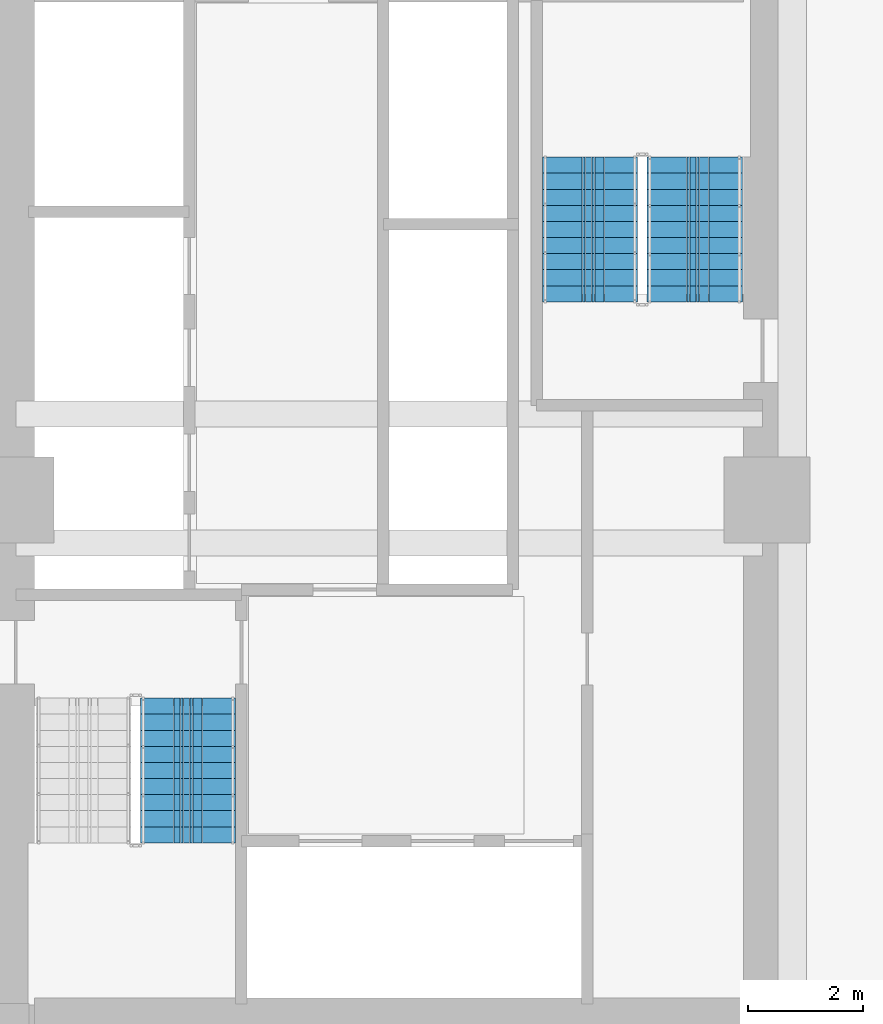
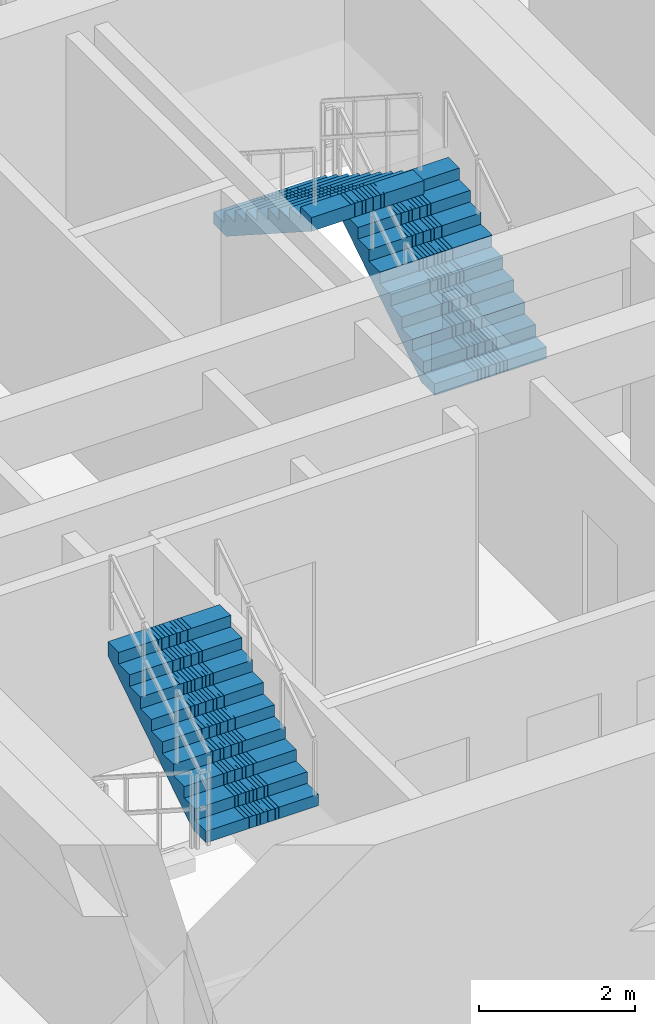
# One storey, part 22 of 30: 3 stair flights, 2 elements without a shape of their own.
"""IFC4 building model written with IfcOpenShell, lengths in metres."""

from ifc_helpers import new_model, si_unit, direction, frame, origin, place, context, subcontext, project, spatial, polyline, outline, extrude, material, type_object, element, aggregate, save


model = new_model("IFC4")

# Units and contexts
model_context = context("Model", 3, precision=1e-05, world=origin(), true_north=direction((0.0, 1.0)))
body_context = subcontext(model_context, "Body", "Model", "MODEL_VIEW")
ifc_project = project(units=[si_unit("LENGTHUNIT", "METRE"), si_unit("AREAUNIT", "SQUARE_METRE"), si_unit("VOLUMEUNIT", "CUBIC_METRE"), si_unit("PLANEANGLEUNIT", "RADIAN"), si_unit("MASSUNIT", "GRAM", prefix="KILO")], contexts=[model_context])

# Site, building, storey
site_placement = place(None, origin())
site = spatial("IfcSite", under=ifc_project, at=site_placement, CompositionType="ELEMENT")
building_placement = place(site_placement, origin())
building = spatial("IfcBuilding", under=site, at=building_placement, Name="Saelheon Loggia Tower", CompositionType="ELEMENT")
storey_placement = place(building_placement, frame((0.0, 0.0, 7.800048828125)))
storey = spatial("IfcBuildingStorey", under=building, at=storey_placement, Name="L02", CompositionType="ELEMENT", Elevation=7.800048828125)

# Stair, stair flight
ifc_material = material(Name="Concrete C40/50", Category="concrete")
stair_type = type_object("IfcStairType", Name="Stair_Escape_Core", PredefinedType="HALF_TURN_STAIR", material=ifc_material)
stair_1_placement = place(storey_placement, origin())
stair_1 = element("IfcStair", 1, at=stair_1_placement, inside=storey, type_object=stair_type, Name="L02 Special Escape Stair ST1", PredefinedType="HALF_TURN_STAIR")
stair_flight_type = type_object("IfcStairFlightType", Name="StairFlight_Tower_1660", PredefinedType="STRAIGHT", material=ifc_material)
stair_flight_1_placement = place(storey_placement, frame((34.5, 21.030029296875, 1.800048828125), z_axis=(0.0, 0.0, 1.0), x_axis=(0.0, 1.0, 0.0)))
stair_flight_1 = element("IfcStairFlight", 2, at=stair_flight_1_placement, type_object=stair_flight_type, Name="ST1 flight 2", NumberOfRisers=10, NumberOfTreads=9, PredefinedType="STRAIGHT", RiserHeight=0.18, TreadLength=0.28, context=body_context, shape_type="SweptSolid", body=[
    extrude(outline(polyline([(0.0, 0.0), (0.0, 0.179931640625), (0.280029296875, 0.179931640625), (0.280029296875, 0.360107421875), (0.56005859375, 0.360107421875), (0.56005859375, 0.5400390625), (0.840087890625, 0.5400390625), (0.840087890625, 0.719970703125), (1.1201171875, 0.719970703125), (1.1201171875, 0.89990234375), (1.39990234375, 0.89990234375), (1.39990234375, 1.080078125), (1.679931640625, 1.080078125), (1.679931640625, 1.260009765625), (1.9599609375, 1.260009765625), (1.9599609375, 1.43994140625), (2.239990234375, 1.43994140625), (2.239990234375, 1.6201171875), (2.52001953125, 1.6201171875), (2.52001953125, 1.800048828125), (2.52001953125, 1.406005859375), (0.332763671875, 0.0), (0.0, 0.0)])), frame((0.0, -0.2490234375, 0.0), z_axis=(0.0, -1.0, 0.0), x_axis=(1.0, 0.0, 0.0)), (0.0, 0.0, 1.0), 0.5810546875),
    extrude(outline(polyline([(0.0, 0.0), (0.0, 0.179931640625), (0.280029296875, 0.179931640625), (0.280029296875, 0.360107421875), (0.56005859375, 0.360107421875), (0.56005859375, 0.5400390625), (0.840087890625, 0.5400390625), (0.840087890625, 0.719970703125), (1.1201171875, 0.719970703125), (1.1201171875, 0.89990234375), (1.39990234375, 0.89990234375), (1.39990234375, 1.080078125), (1.679931640625, 1.080078125), (1.679931640625, 1.260009765625), (1.9599609375, 1.260009765625), (1.9599609375, 1.43994140625), (2.239990234375, 1.43994140625), (2.239990234375, 1.6201171875), (2.52001953125, 1.6201171875), (2.52001953125, 1.800048828125), (2.52001953125, 1.406005859375), (0.332763671875, 0.0), (0.0, 0.0)])), frame((0.0, -0.194091796875, 0.0), z_axis=(0.0, -1.0, 0.0), x_axis=(1.0, 0.0, 0.0)), (0.0, 0.0, 1.0), 0.0498046875),
    extrude(outline(polyline([(0.0, 0.0), (0.0, 0.179931640625), (0.280029296875, 0.179931640625), (0.280029296875, 0.360107421875), (0.56005859375, 0.360107421875), (0.56005859375, 0.5400390625), (0.840087890625, 0.5400390625), (0.840087890625, 0.719970703125), (1.1201171875, 0.719970703125), (1.1201171875, 0.89990234375), (1.39990234375, 0.89990234375), (1.39990234375, 1.080078125), (1.679931640625, 1.080078125), (1.679931640625, 1.260009765625), (1.9599609375, 1.260009765625), (1.9599609375, 1.43994140625), (2.239990234375, 1.43994140625), (2.239990234375, 1.6201171875), (2.52001953125, 1.6201171875), (2.52001953125, 1.800048828125), (2.52001953125, 1.406005859375), (0.332763671875, 0.0), (0.0, 0.0)])), frame((0.0, -0.139404296875, 0.0), z_axis=(0.0, -1.0, 0.0), x_axis=(1.0, 0.0, 0.0)), (0.0, 0.0, 1.0), 0.0498046875),
    extrude(outline(polyline([(0.0, 0.0), (0.0, 0.179931640625), (0.280029296875, 0.179931640625), (0.280029296875, 0.360107421875), (0.56005859375, 0.360107421875), (0.56005859375, 0.5400390625), (0.840087890625, 0.5400390625), (0.840087890625, 0.719970703125), (1.1201171875, 0.719970703125), (1.1201171875, 0.89990234375), (1.39990234375, 0.89990234375), (1.39990234375, 1.080078125), (1.679931640625, 1.080078125), (1.679931640625, 1.260009765625), (1.9599609375, 1.260009765625), (1.9599609375, 1.43994140625), (2.239990234375, 1.43994140625), (2.239990234375, 1.6201171875), (2.52001953125, 1.6201171875), (2.52001953125, 1.800048828125), (2.52001953125, 1.406005859375), (0.332763671875, 0.0), (0.0, 0.0)])), frame((0.0, -0.084716796875, 0.0), z_axis=(0.0, -1.0, 0.0), x_axis=(1.0, 0.0, 0.0)), (0.0, 0.0, 1.0), 0.0498046875),
    extrude(outline(polyline([(0.0, 0.0), (0.0, 0.179931640625), (0.280029296875, 0.179931640625), (0.280029296875, 0.360107421875), (0.56005859375, 0.360107421875), (0.56005859375, 0.5400390625), (0.840087890625, 0.5400390625), (0.840087890625, 0.719970703125), (1.1201171875, 0.719970703125), (1.1201171875, 0.89990234375), (1.39990234375, 0.89990234375), (1.39990234375, 1.080078125), (1.679931640625, 1.080078125), (1.679931640625, 1.260009765625), (1.9599609375, 1.260009765625), (1.9599609375, 1.43994140625), (2.239990234375, 1.43994140625), (2.239990234375, 1.6201171875), (2.52001953125, 1.6201171875), (2.52001953125, 1.800048828125), (2.52001953125, 1.406005859375), (0.332763671875, 0.0), (0.0, 0.0)])), frame((0.0, -0.02978515625, 0.0), z_axis=(0.0, -1.0, 0.0), x_axis=(1.0, 0.0, 0.0)), (0.0, 0.0, 1.0), 0.0498046875),
    extrude(outline(polyline([(0.0, 0.0), (0.0, 0.179931640625), (0.280029296875, 0.179931640625), (0.280029296875, 0.360107421875), (0.56005859375, 0.360107421875), (0.56005859375, 0.5400390625), (0.840087890625, 0.5400390625), (0.840087890625, 0.719970703125), (1.1201171875, 0.719970703125), (1.1201171875, 0.89990234375), (1.39990234375, 0.89990234375), (1.39990234375, 1.080078125), (1.679931640625, 1.080078125), (1.679931640625, 1.260009765625), (1.9599609375, 1.260009765625), (1.9599609375, 1.43994140625), (2.239990234375, 1.43994140625), (2.239990234375, 1.6201171875), (2.52001953125, 1.6201171875), (2.52001953125, 1.800048828125), (2.52001953125, 1.406005859375), (0.332763671875, 0.0), (0.0, 0.0)])), frame((0.0, 0.02490234375, 0.0), z_axis=(0.0, -1.0, 0.0), x_axis=(1.0, 0.0, 0.0)), (0.0, 0.0, 1.0), 0.0498046875),
    extrude(outline(polyline([(0.0, 0.0), (0.0, 0.179931640625), (0.280029296875, 0.179931640625), (0.280029296875, 0.360107421875), (0.56005859375, 0.360107421875), (0.56005859375, 0.5400390625), (0.840087890625, 0.5400390625), (0.840087890625, 0.719970703125), (1.1201171875, 0.719970703125), (1.1201171875, 0.89990234375), (1.39990234375, 0.89990234375), (1.39990234375, 1.080078125), (1.679931640625, 1.080078125), (1.679931640625, 1.260009765625), (1.9599609375, 1.260009765625), (1.9599609375, 1.43994140625), (2.239990234375, 1.43994140625), (2.239990234375, 1.6201171875), (2.52001953125, 1.6201171875), (2.52001953125, 1.800048828125), (2.52001953125, 1.406005859375), (0.332763671875, 0.0), (0.0, 0.0)])), frame((0.0, 0.07958984375, 0.0), z_axis=(0.0, -1.0, 0.0), x_axis=(1.0, 0.0, 0.0)), (0.0, 0.0, 1.0), 0.0498046875),
    extrude(outline(polyline([(0.0, 0.0), (0.0, 0.179931640625), (0.280029296875, 0.179931640625), (0.280029296875, 0.360107421875), (0.56005859375, 0.360107421875), (0.56005859375, 0.5400390625), (0.840087890625, 0.5400390625), (0.840087890625, 0.719970703125), (1.1201171875, 0.719970703125), (1.1201171875, 0.89990234375), (1.39990234375, 0.89990234375), (1.39990234375, 1.080078125), (1.679931640625, 1.080078125), (1.679931640625, 1.260009765625), (1.9599609375, 1.260009765625), (1.9599609375, 1.43994140625), (2.239990234375, 1.43994140625), (2.239990234375, 1.6201171875), (2.52001953125, 1.6201171875), (2.52001953125, 1.800048828125), (2.52001953125, 1.406005859375), (0.332763671875, 0.0), (0.0, 0.0)])), frame((0.0, 0.134521484375, 0.0), z_axis=(0.0, -1.0, 0.0), x_axis=(1.0, 0.0, 0.0)), (0.0, 0.0, 1.0), 0.0498046875),
    extrude(outline(polyline([(0.0, 0.0), (0.0, 0.179931640625), (0.280029296875, 0.179931640625), (0.280029296875, 0.360107421875), (0.56005859375, 0.360107421875), (0.56005859375, 0.5400390625), (0.840087890625, 0.5400390625), (0.840087890625, 0.719970703125), (1.1201171875, 0.719970703125), (1.1201171875, 0.89990234375), (1.39990234375, 0.89990234375), (1.39990234375, 1.080078125), (1.679931640625, 1.080078125), (1.679931640625, 1.260009765625), (1.9599609375, 1.260009765625), (1.9599609375, 1.43994140625), (2.239990234375, 1.43994140625), (2.239990234375, 1.6201171875), (2.52001953125, 1.6201171875), (2.52001953125, 1.800048828125), (2.52001953125, 1.406005859375), (0.332763671875, 0.0), (0.0, 0.0)])), frame((0.0, 0.189208984375, 0.0), z_axis=(0.0, -1.0, 0.0), x_axis=(1.0, 0.0, 0.0)), (0.0, 0.0, 1.0), 0.0498046875),
    extrude(outline(polyline([(0.0, 0.0), (0.0, 0.179931640625), (0.280029296875, 0.179931640625), (0.280029296875, 0.360107421875), (0.56005859375, 0.360107421875), (0.56005859375, 0.5400390625), (0.840087890625, 0.5400390625), (0.840087890625, 0.719970703125), (1.1201171875, 0.719970703125), (1.1201171875, 0.89990234375), (1.39990234375, 0.89990234375), (1.39990234375, 1.080078125), (1.679931640625, 1.080078125), (1.679931640625, 1.260009765625), (1.9599609375, 1.260009765625), (1.9599609375, 1.43994140625), (2.239990234375, 1.43994140625), (2.239990234375, 1.6201171875), (2.52001953125, 1.6201171875), (2.52001953125, 1.800048828125), (2.52001953125, 1.406005859375), (0.332763671875, 0.0), (0.0, 0.0)])), frame((0.0, 0.243896484375, 0.0), z_axis=(0.0, -1.0, 0.0), x_axis=(1.0, 0.0, 0.0)), (0.0, 0.0, 1.0), 0.0498046875),
    extrude(outline(polyline([(0.0, 0.0), (0.0, 0.179931640625), (0.280029296875, 0.179931640625), (0.280029296875, 0.360107421875), (0.56005859375, 0.360107421875), (0.56005859375, 0.5400390625), (0.840087890625, 0.5400390625), (0.840087890625, 0.719970703125), (1.1201171875, 0.719970703125), (1.1201171875, 0.89990234375), (1.39990234375, 0.89990234375), (1.39990234375, 1.080078125), (1.679931640625, 1.080078125), (1.679931640625, 1.260009765625), (1.9599609375, 1.260009765625), (1.9599609375, 1.43994140625), (2.239990234375, 1.43994140625), (2.239990234375, 1.6201171875), (2.52001953125, 1.6201171875), (2.52001953125, 1.800048828125), (2.52001953125, 1.406005859375), (0.332763671875, 0.0), (0.0, 0.0)])), frame((0.0, 0.830078125, 0.0), z_axis=(0.0, -1.0, 0.0), x_axis=(1.0, 0.0, 0.0)), (0.0, 0.0, 1.0), 0.5810546875),
])
aggregate(stair_1, [stair_flight_1])

# Stair, stair flights
stair_2_placement = place(storey_placement, origin())
stair_2 = element("IfcStair", 3, at=stair_2_placement, inside=storey, type_object=stair_type, Name="L02 Special Escape Stair ST2", PredefinedType="HALF_TURN_STAIR")
stair_flight_2_placement = place(storey_placement, frame((43.320068359375, 30.449951171875, 0.0), z_axis=(0.0, 0.0, 1.0), x_axis=(0.0, 1.0, 0.0)))
stair_flight_2 = element("IfcStairFlight", 4, at=stair_flight_2_placement, type_object=stair_flight_type, Name="ST2 flight 1", NumberOfRisers=10, NumberOfTreads=9, PredefinedType="STRAIGHT", RiserHeight=0.18, TreadLength=0.28, context=body_context, shape_type="SweptSolid", body=[
    extrude(outline(polyline([(0.0, 0.0), (0.0, 0.179931640625), (0.280029296875, 0.179931640625), (0.280029296875, 0.360107421875), (0.56005859375, 0.360107421875), (0.56005859375, 0.5400390625), (0.840087890625, 0.5400390625), (0.840087890625, 0.719970703125), (1.1201171875, 0.719970703125), (1.1201171875, 0.89990234375), (1.39990234375, 0.89990234375), (1.39990234375, 1.080078125), (1.679931640625, 1.080078125), (1.679931640625, 1.260009765625), (1.9599609375, 1.260009765625), (1.9599609375, 1.43994140625), (2.239990234375, 1.43994140625), (2.239990234375, 1.6201171875), (2.52001953125, 1.6201171875), (2.52001953125, 1.800048828125), (2.52001953125, 1.406005859375), (0.332763671875, 0.0), (0.0, 0.0)])), frame((0.0, -0.2490234375, 0.0), z_axis=(0.0, -1.0, 0.0), x_axis=(1.0, 0.0, 0.0)), (0.0, 0.0, 1.0), 0.5810546875),
    extrude(outline(polyline([(0.0, 0.0), (0.0, 0.179931640625), (0.280029296875, 0.179931640625), (0.280029296875, 0.360107421875), (0.56005859375, 0.360107421875), (0.56005859375, 0.5400390625), (0.840087890625, 0.5400390625), (0.840087890625, 0.719970703125), (1.1201171875, 0.719970703125), (1.1201171875, 0.89990234375), (1.39990234375, 0.89990234375), (1.39990234375, 1.080078125), (1.679931640625, 1.080078125), (1.679931640625, 1.260009765625), (1.9599609375, 1.260009765625), (1.9599609375, 1.43994140625), (2.239990234375, 1.43994140625), (2.239990234375, 1.6201171875), (2.52001953125, 1.6201171875), (2.52001953125, 1.800048828125), (2.52001953125, 1.406005859375), (0.332763671875, 0.0), (0.0, 0.0)])), frame((0.0, -0.194091796875, 0.0), z_axis=(0.0, -1.0, 0.0), x_axis=(1.0, 0.0, 0.0)), (0.0, 0.0, 1.0), 0.0498046875),
    extrude(outline(polyline([(0.0, 0.0), (0.0, 0.179931640625), (0.280029296875, 0.179931640625), (0.280029296875, 0.360107421875), (0.56005859375, 0.360107421875), (0.56005859375, 0.5400390625), (0.840087890625, 0.5400390625), (0.840087890625, 0.719970703125), (1.1201171875, 0.719970703125), (1.1201171875, 0.89990234375), (1.39990234375, 0.89990234375), (1.39990234375, 1.080078125), (1.679931640625, 1.080078125), (1.679931640625, 1.260009765625), (1.9599609375, 1.260009765625), (1.9599609375, 1.43994140625), (2.239990234375, 1.43994140625), (2.239990234375, 1.6201171875), (2.52001953125, 1.6201171875), (2.52001953125, 1.800048828125), (2.52001953125, 1.406005859375), (0.332763671875, 0.0), (0.0, 0.0)])), frame((0.0, -0.139404296875, 0.0), z_axis=(0.0, -1.0, 0.0), x_axis=(1.0, 0.0, 0.0)), (0.0, 0.0, 1.0), 0.0498046875),
    extrude(outline(polyline([(0.0, 0.0), (0.0, 0.179931640625), (0.280029296875, 0.179931640625), (0.280029296875, 0.360107421875), (0.56005859375, 0.360107421875), (0.56005859375, 0.5400390625), (0.840087890625, 0.5400390625), (0.840087890625, 0.719970703125), (1.1201171875, 0.719970703125), (1.1201171875, 0.89990234375), (1.39990234375, 0.89990234375), (1.39990234375, 1.080078125), (1.679931640625, 1.080078125), (1.679931640625, 1.260009765625), (1.9599609375, 1.260009765625), (1.9599609375, 1.43994140625), (2.239990234375, 1.43994140625), (2.239990234375, 1.6201171875), (2.52001953125, 1.6201171875), (2.52001953125, 1.800048828125), (2.52001953125, 1.406005859375), (0.332763671875, 0.0), (0.0, 0.0)])), frame((0.0, -0.084716796875, 0.0), z_axis=(0.0, -1.0, 0.0), x_axis=(1.0, 0.0, 0.0)), (0.0, 0.0, 1.0), 0.0498046875),
    extrude(outline(polyline([(0.0, 0.0), (0.0, 0.179931640625), (0.280029296875, 0.179931640625), (0.280029296875, 0.360107421875), (0.56005859375, 0.360107421875), (0.56005859375, 0.5400390625), (0.840087890625, 0.5400390625), (0.840087890625, 0.719970703125), (1.1201171875, 0.719970703125), (1.1201171875, 0.89990234375), (1.39990234375, 0.89990234375), (1.39990234375, 1.080078125), (1.679931640625, 1.080078125), (1.679931640625, 1.260009765625), (1.9599609375, 1.260009765625), (1.9599609375, 1.43994140625), (2.239990234375, 1.43994140625), (2.239990234375, 1.6201171875), (2.52001953125, 1.6201171875), (2.52001953125, 1.800048828125), (2.52001953125, 1.406005859375), (0.332763671875, 0.0), (0.0, 0.0)])), frame((0.0, -0.02978515625, 0.0), z_axis=(0.0, -1.0, 0.0), x_axis=(1.0, 0.0, 0.0)), (0.0, 0.0, 1.0), 0.0498046875),
    extrude(outline(polyline([(0.0, 0.0), (0.0, 0.179931640625), (0.280029296875, 0.179931640625), (0.280029296875, 0.360107421875), (0.56005859375, 0.360107421875), (0.56005859375, 0.5400390625), (0.840087890625, 0.5400390625), (0.840087890625, 0.719970703125), (1.1201171875, 0.719970703125), (1.1201171875, 0.89990234375), (1.39990234375, 0.89990234375), (1.39990234375, 1.080078125), (1.679931640625, 1.080078125), (1.679931640625, 1.260009765625), (1.9599609375, 1.260009765625), (1.9599609375, 1.43994140625), (2.239990234375, 1.43994140625), (2.239990234375, 1.6201171875), (2.52001953125, 1.6201171875), (2.52001953125, 1.800048828125), (2.52001953125, 1.406005859375), (0.332763671875, 0.0), (0.0, 0.0)])), frame((0.0, 0.02490234375, 0.0), z_axis=(0.0, -1.0, 0.0), x_axis=(1.0, 0.0, 0.0)), (0.0, 0.0, 1.0), 0.0498046875),
    extrude(outline(polyline([(0.0, 0.0), (0.0, 0.179931640625), (0.280029296875, 0.179931640625), (0.280029296875, 0.360107421875), (0.56005859375, 0.360107421875), (0.56005859375, 0.5400390625), (0.840087890625, 0.5400390625), (0.840087890625, 0.719970703125), (1.1201171875, 0.719970703125), (1.1201171875, 0.89990234375), (1.39990234375, 0.89990234375), (1.39990234375, 1.080078125), (1.679931640625, 1.080078125), (1.679931640625, 1.260009765625), (1.9599609375, 1.260009765625), (1.9599609375, 1.43994140625), (2.239990234375, 1.43994140625), (2.239990234375, 1.6201171875), (2.52001953125, 1.6201171875), (2.52001953125, 1.800048828125), (2.52001953125, 1.406005859375), (0.332763671875, 0.0), (0.0, 0.0)])), frame((0.0, 0.07958984375, 0.0), z_axis=(0.0, -1.0, 0.0), x_axis=(1.0, 0.0, 0.0)), (0.0, 0.0, 1.0), 0.0498046875),
    extrude(outline(polyline([(0.0, 0.0), (0.0, 0.179931640625), (0.280029296875, 0.179931640625), (0.280029296875, 0.360107421875), (0.56005859375, 0.360107421875), (0.56005859375, 0.5400390625), (0.840087890625, 0.5400390625), (0.840087890625, 0.719970703125), (1.1201171875, 0.719970703125), (1.1201171875, 0.89990234375), (1.39990234375, 0.89990234375), (1.39990234375, 1.080078125), (1.679931640625, 1.080078125), (1.679931640625, 1.260009765625), (1.9599609375, 1.260009765625), (1.9599609375, 1.43994140625), (2.239990234375, 1.43994140625), (2.239990234375, 1.6201171875), (2.52001953125, 1.6201171875), (2.52001953125, 1.800048828125), (2.52001953125, 1.406005859375), (0.332763671875, 0.0), (0.0, 0.0)])), frame((0.0, 0.134521484375, 0.0), z_axis=(0.0, -1.0, 0.0), x_axis=(1.0, 0.0, 0.0)), (0.0, 0.0, 1.0), 0.0498046875),
    extrude(outline(polyline([(0.0, 0.0), (0.0, 0.179931640625), (0.280029296875, 0.179931640625), (0.280029296875, 0.360107421875), (0.56005859375, 0.360107421875), (0.56005859375, 0.5400390625), (0.840087890625, 0.5400390625), (0.840087890625, 0.719970703125), (1.1201171875, 0.719970703125), (1.1201171875, 0.89990234375), (1.39990234375, 0.89990234375), (1.39990234375, 1.080078125), (1.679931640625, 1.080078125), (1.679931640625, 1.260009765625), (1.9599609375, 1.260009765625), (1.9599609375, 1.43994140625), (2.239990234375, 1.43994140625), (2.239990234375, 1.6201171875), (2.52001953125, 1.6201171875), (2.52001953125, 1.800048828125), (2.52001953125, 1.406005859375), (0.332763671875, 0.0), (0.0, 0.0)])), frame((0.0, 0.189208984375, 0.0), z_axis=(0.0, -1.0, 0.0), x_axis=(1.0, 0.0, 0.0)), (0.0, 0.0, 1.0), 0.0498046875),
    extrude(outline(polyline([(0.0, 0.0), (0.0, 0.179931640625), (0.280029296875, 0.179931640625), (0.280029296875, 0.360107421875), (0.56005859375, 0.360107421875), (0.56005859375, 0.5400390625), (0.840087890625, 0.5400390625), (0.840087890625, 0.719970703125), (1.1201171875, 0.719970703125), (1.1201171875, 0.89990234375), (1.39990234375, 0.89990234375), (1.39990234375, 1.080078125), (1.679931640625, 1.080078125), (1.679931640625, 1.260009765625), (1.9599609375, 1.260009765625), (1.9599609375, 1.43994140625), (2.239990234375, 1.43994140625), (2.239990234375, 1.6201171875), (2.52001953125, 1.6201171875), (2.52001953125, 1.800048828125), (2.52001953125, 1.406005859375), (0.332763671875, 0.0), (0.0, 0.0)])), frame((0.0, 0.243896484375, 0.0), z_axis=(0.0, -1.0, 0.0), x_axis=(1.0, 0.0, 0.0)), (0.0, 0.0, 1.0), 0.0498046875),
    extrude(outline(polyline([(0.0, 0.0), (0.0, 0.179931640625), (0.280029296875, 0.179931640625), (0.280029296875, 0.360107421875), (0.56005859375, 0.360107421875), (0.56005859375, 0.5400390625), (0.840087890625, 0.5400390625), (0.840087890625, 0.719970703125), (1.1201171875, 0.719970703125), (1.1201171875, 0.89990234375), (1.39990234375, 0.89990234375), (1.39990234375, 1.080078125), (1.679931640625, 1.080078125), (1.679931640625, 1.260009765625), (1.9599609375, 1.260009765625), (1.9599609375, 1.43994140625), (2.239990234375, 1.43994140625), (2.239990234375, 1.6201171875), (2.52001953125, 1.6201171875), (2.52001953125, 1.800048828125), (2.52001953125, 1.406005859375), (0.332763671875, 0.0), (0.0, 0.0)])), frame((0.0, 0.830078125, 0.0), z_axis=(0.0, -1.0, 0.0), x_axis=(1.0, 0.0, 0.0)), (0.0, 0.0, 1.0), 0.5810546875),
])
stair_flight_3_placement = place(storey_placement, frame((41.5, 32.969970703125, 1.800048828125), z_axis=(0.0, 0.0, 1.0), x_axis=(0.0, -1.0, 0.0)))
stair_flight_3 = element("IfcStairFlight", 5, at=stair_flight_3_placement, type_object=stair_flight_type, Name="ST2 flight 2", NumberOfRisers=10, NumberOfTreads=9, PredefinedType="STRAIGHT", RiserHeight=0.18, TreadLength=0.28, context=body_context, shape_type="SweptSolid", body=[
    extrude(outline(polyline([(0.0, 0.0), (0.0, 0.179931640625), (0.280029296875, 0.179931640625), (0.280029296875, 0.360107421875), (0.56005859375, 0.360107421875), (0.56005859375, 0.5400390625), (0.840087890625, 0.5400390625), (0.840087890625, 0.719970703125), (1.1201171875, 0.719970703125), (1.1201171875, 0.89990234375), (1.39990234375, 0.89990234375), (1.39990234375, 1.080078125), (1.679931640625, 1.080078125), (1.679931640625, 1.260009765625), (1.9599609375, 1.260009765625), (1.9599609375, 1.43994140625), (2.239990234375, 1.43994140625), (2.239990234375, 1.6201171875), (2.52001953125, 1.6201171875), (2.52001953125, 1.800048828125), (2.52001953125, 1.406005859375), (0.332763671875, 0.0), (0.0, 0.0)])), frame((0.0, -0.2490234375, 0.0), z_axis=(0.0, -1.0, 0.0), x_axis=(1.0, 0.0, 0.0)), (0.0, 0.0, 1.0), 0.5810546875),
    extrude(outline(polyline([(0.0, 0.0), (0.0, 0.179931640625), (0.280029296875, 0.179931640625), (0.280029296875, 0.360107421875), (0.56005859375, 0.360107421875), (0.56005859375, 0.5400390625), (0.840087890625, 0.5400390625), (0.840087890625, 0.719970703125), (1.1201171875, 0.719970703125), (1.1201171875, 0.89990234375), (1.39990234375, 0.89990234375), (1.39990234375, 1.080078125), (1.679931640625, 1.080078125), (1.679931640625, 1.260009765625), (1.9599609375, 1.260009765625), (1.9599609375, 1.43994140625), (2.239990234375, 1.43994140625), (2.239990234375, 1.6201171875), (2.52001953125, 1.6201171875), (2.52001953125, 1.800048828125), (2.52001953125, 1.406005859375), (0.332763671875, 0.0), (0.0, 0.0)])), frame((0.0, -0.194091796875, 0.0), z_axis=(0.0, -1.0, 0.0), x_axis=(1.0, 0.0, 0.0)), (0.0, 0.0, 1.0), 0.0498046875),
    extrude(outline(polyline([(0.0, 0.0), (0.0, 0.179931640625), (0.280029296875, 0.179931640625), (0.280029296875, 0.360107421875), (0.56005859375, 0.360107421875), (0.56005859375, 0.5400390625), (0.840087890625, 0.5400390625), (0.840087890625, 0.719970703125), (1.1201171875, 0.719970703125), (1.1201171875, 0.89990234375), (1.39990234375, 0.89990234375), (1.39990234375, 1.080078125), (1.679931640625, 1.080078125), (1.679931640625, 1.260009765625), (1.9599609375, 1.260009765625), (1.9599609375, 1.43994140625), (2.239990234375, 1.43994140625), (2.239990234375, 1.6201171875), (2.52001953125, 1.6201171875), (2.52001953125, 1.800048828125), (2.52001953125, 1.406005859375), (0.332763671875, 0.0), (0.0, 0.0)])), frame((0.0, -0.139404296875, 0.0), z_axis=(0.0, -1.0, 0.0), x_axis=(1.0, 0.0, 0.0)), (0.0, 0.0, 1.0), 0.0498046875),
    extrude(outline(polyline([(0.0, 0.0), (0.0, 0.179931640625), (0.280029296875, 0.179931640625), (0.280029296875, 0.360107421875), (0.56005859375, 0.360107421875), (0.56005859375, 0.5400390625), (0.840087890625, 0.5400390625), (0.840087890625, 0.719970703125), (1.1201171875, 0.719970703125), (1.1201171875, 0.89990234375), (1.39990234375, 0.89990234375), (1.39990234375, 1.080078125), (1.679931640625, 1.080078125), (1.679931640625, 1.260009765625), (1.9599609375, 1.260009765625), (1.9599609375, 1.43994140625), (2.239990234375, 1.43994140625), (2.239990234375, 1.6201171875), (2.52001953125, 1.6201171875), (2.52001953125, 1.800048828125), (2.52001953125, 1.406005859375), (0.332763671875, 0.0), (0.0, 0.0)])), frame((0.0, -0.084716796875, 0.0), z_axis=(0.0, -1.0, 0.0), x_axis=(1.0, 0.0, 0.0)), (0.0, 0.0, 1.0), 0.0498046875),
    extrude(outline(polyline([(0.0, 0.0), (0.0, 0.179931640625), (0.280029296875, 0.179931640625), (0.280029296875, 0.360107421875), (0.56005859375, 0.360107421875), (0.56005859375, 0.5400390625), (0.840087890625, 0.5400390625), (0.840087890625, 0.719970703125), (1.1201171875, 0.719970703125), (1.1201171875, 0.89990234375), (1.39990234375, 0.89990234375), (1.39990234375, 1.080078125), (1.679931640625, 1.080078125), (1.679931640625, 1.260009765625), (1.9599609375, 1.260009765625), (1.9599609375, 1.43994140625), (2.239990234375, 1.43994140625), (2.239990234375, 1.6201171875), (2.52001953125, 1.6201171875), (2.52001953125, 1.800048828125), (2.52001953125, 1.406005859375), (0.332763671875, 0.0), (0.0, 0.0)])), frame((0.0, -0.02978515625, 0.0), z_axis=(0.0, -1.0, 0.0), x_axis=(1.0, 0.0, 0.0)), (0.0, 0.0, 1.0), 0.0498046875),
    extrude(outline(polyline([(0.0, 0.0), (0.0, 0.179931640625), (0.280029296875, 0.179931640625), (0.280029296875, 0.360107421875), (0.56005859375, 0.360107421875), (0.56005859375, 0.5400390625), (0.840087890625, 0.5400390625), (0.840087890625, 0.719970703125), (1.1201171875, 0.719970703125), (1.1201171875, 0.89990234375), (1.39990234375, 0.89990234375), (1.39990234375, 1.080078125), (1.679931640625, 1.080078125), (1.679931640625, 1.260009765625), (1.9599609375, 1.260009765625), (1.9599609375, 1.43994140625), (2.239990234375, 1.43994140625), (2.239990234375, 1.6201171875), (2.52001953125, 1.6201171875), (2.52001953125, 1.800048828125), (2.52001953125, 1.406005859375), (0.332763671875, 0.0), (0.0, 0.0)])), frame((0.0, 0.02490234375, 0.0), z_axis=(0.0, -1.0, 0.0), x_axis=(1.0, 0.0, 0.0)), (0.0, 0.0, 1.0), 0.0498046875),
    extrude(outline(polyline([(0.0, 0.0), (0.0, 0.179931640625), (0.280029296875, 0.179931640625), (0.280029296875, 0.360107421875), (0.56005859375, 0.360107421875), (0.56005859375, 0.5400390625), (0.840087890625, 0.5400390625), (0.840087890625, 0.719970703125), (1.1201171875, 0.719970703125), (1.1201171875, 0.89990234375), (1.39990234375, 0.89990234375), (1.39990234375, 1.080078125), (1.679931640625, 1.080078125), (1.679931640625, 1.260009765625), (1.9599609375, 1.260009765625), (1.9599609375, 1.43994140625), (2.239990234375, 1.43994140625), (2.239990234375, 1.6201171875), (2.52001953125, 1.6201171875), (2.52001953125, 1.800048828125), (2.52001953125, 1.406005859375), (0.332763671875, 0.0), (0.0, 0.0)])), frame((0.0, 0.07958984375, 0.0), z_axis=(0.0, -1.0, 0.0), x_axis=(1.0, 0.0, 0.0)), (0.0, 0.0, 1.0), 0.0498046875),
    extrude(outline(polyline([(0.0, 0.0), (0.0, 0.179931640625), (0.280029296875, 0.179931640625), (0.280029296875, 0.360107421875), (0.56005859375, 0.360107421875), (0.56005859375, 0.5400390625), (0.840087890625, 0.5400390625), (0.840087890625, 0.719970703125), (1.1201171875, 0.719970703125), (1.1201171875, 0.89990234375), (1.39990234375, 0.89990234375), (1.39990234375, 1.080078125), (1.679931640625, 1.080078125), (1.679931640625, 1.260009765625), (1.9599609375, 1.260009765625), (1.9599609375, 1.43994140625), (2.239990234375, 1.43994140625), (2.239990234375, 1.6201171875), (2.52001953125, 1.6201171875), (2.52001953125, 1.800048828125), (2.52001953125, 1.406005859375), (0.332763671875, 0.0), (0.0, 0.0)])), frame((0.0, 0.134521484375, 0.0), z_axis=(0.0, -1.0, 0.0), x_axis=(1.0, 0.0, 0.0)), (0.0, 0.0, 1.0), 0.0498046875),
    extrude(outline(polyline([(0.0, 0.0), (0.0, 0.179931640625), (0.280029296875, 0.179931640625), (0.280029296875, 0.360107421875), (0.56005859375, 0.360107421875), (0.56005859375, 0.5400390625), (0.840087890625, 0.5400390625), (0.840087890625, 0.719970703125), (1.1201171875, 0.719970703125), (1.1201171875, 0.89990234375), (1.39990234375, 0.89990234375), (1.39990234375, 1.080078125), (1.679931640625, 1.080078125), (1.679931640625, 1.260009765625), (1.9599609375, 1.260009765625), (1.9599609375, 1.43994140625), (2.239990234375, 1.43994140625), (2.239990234375, 1.6201171875), (2.52001953125, 1.6201171875), (2.52001953125, 1.800048828125), (2.52001953125, 1.406005859375), (0.332763671875, 0.0), (0.0, 0.0)])), frame((0.0, 0.189208984375, 0.0), z_axis=(0.0, -1.0, 0.0), x_axis=(1.0, 0.0, 0.0)), (0.0, 0.0, 1.0), 0.0498046875),
    extrude(outline(polyline([(0.0, 0.0), (0.0, 0.179931640625), (0.280029296875, 0.179931640625), (0.280029296875, 0.360107421875), (0.56005859375, 0.360107421875), (0.56005859375, 0.5400390625), (0.840087890625, 0.5400390625), (0.840087890625, 0.719970703125), (1.1201171875, 0.719970703125), (1.1201171875, 0.89990234375), (1.39990234375, 0.89990234375), (1.39990234375, 1.080078125), (1.679931640625, 1.080078125), (1.679931640625, 1.260009765625), (1.9599609375, 1.260009765625), (1.9599609375, 1.43994140625), (2.239990234375, 1.43994140625), (2.239990234375, 1.6201171875), (2.52001953125, 1.6201171875), (2.52001953125, 1.800048828125), (2.52001953125, 1.406005859375), (0.332763671875, 0.0), (0.0, 0.0)])), frame((0.0, 0.243896484375, 0.0), z_axis=(0.0, -1.0, 0.0), x_axis=(1.0, 0.0, 0.0)), (0.0, 0.0, 1.0), 0.0498046875),
    extrude(outline(polyline([(0.0, 0.0), (0.0, 0.179931640625), (0.280029296875, 0.179931640625), (0.280029296875, 0.360107421875), (0.56005859375, 0.360107421875), (0.56005859375, 0.5400390625), (0.840087890625, 0.5400390625), (0.840087890625, 0.719970703125), (1.1201171875, 0.719970703125), (1.1201171875, 0.89990234375), (1.39990234375, 0.89990234375), (1.39990234375, 1.080078125), (1.679931640625, 1.080078125), (1.679931640625, 1.260009765625), (1.9599609375, 1.260009765625), (1.9599609375, 1.43994140625), (2.239990234375, 1.43994140625), (2.239990234375, 1.6201171875), (2.52001953125, 1.6201171875), (2.52001953125, 1.800048828125), (2.52001953125, 1.406005859375), (0.332763671875, 0.0), (0.0, 0.0)])), frame((0.0, 0.830078125, 0.0), z_axis=(0.0, -1.0, 0.0), x_axis=(1.0, 0.0, 0.0)), (0.0, 0.0, 1.0), 0.5810546875),
])
aggregate(stair_2, [stair_flight_2, stair_flight_3])

save(model, "model.ifc")
